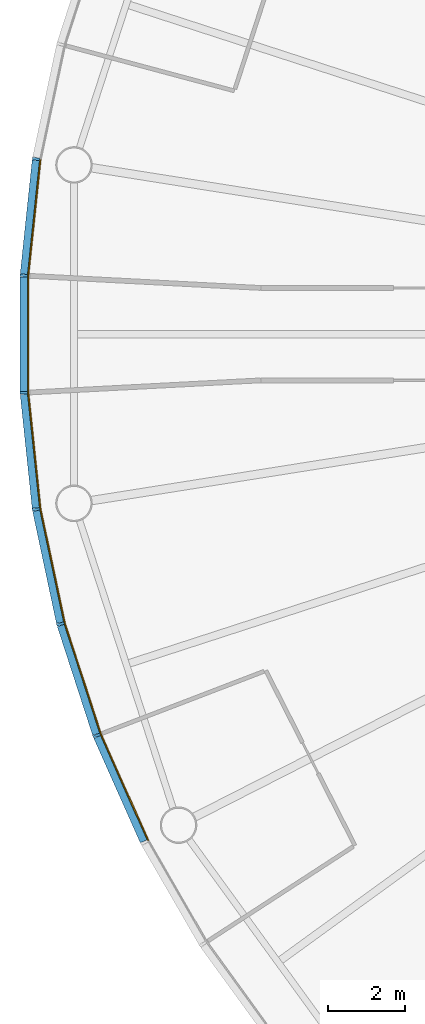
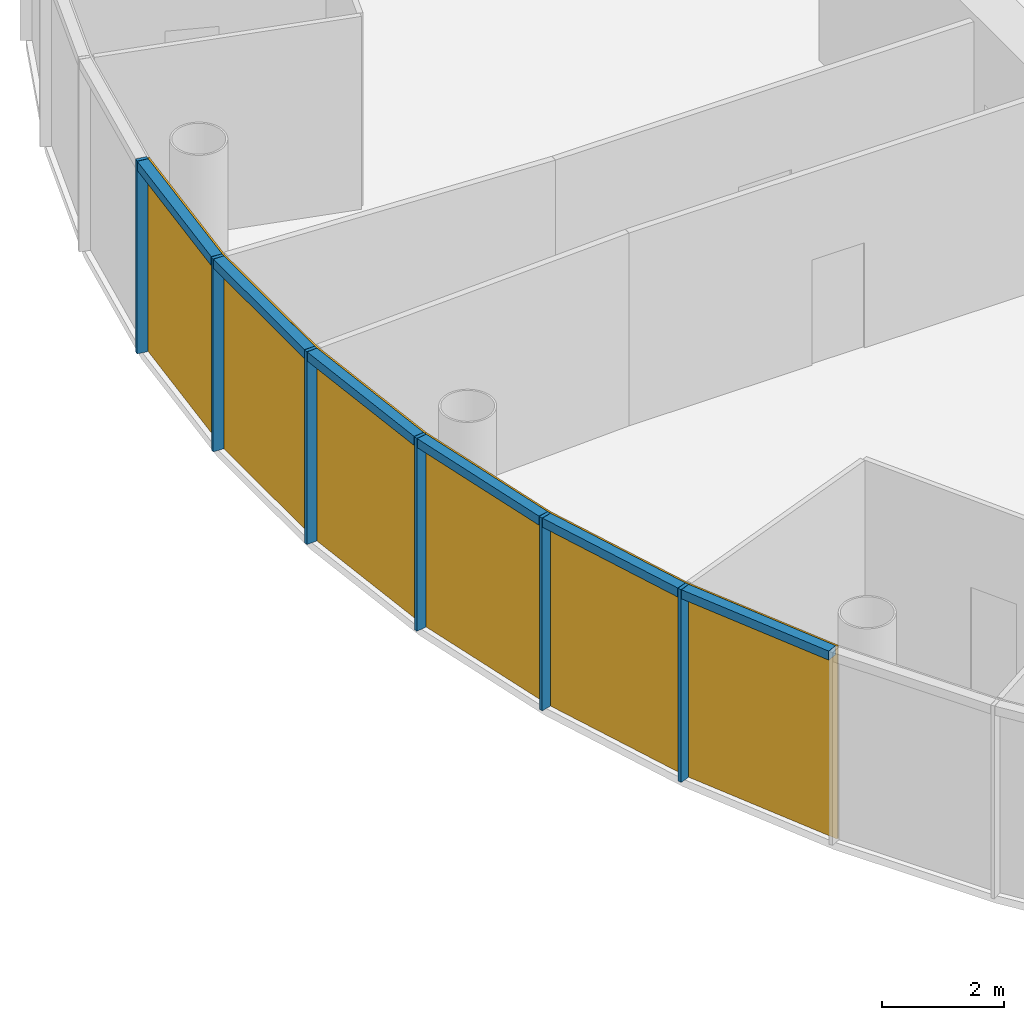
# One storey, part 8 of 13: 12 members, 2 curtain walls.
"""IFC4 building model written with IfcOpenShell, lengths in metres."""

from ifc_helpers import new_model, si_unit, direction, frame, origin, origin_2d, place, context, subcontext, project, spatial, polyline, rectangle, outline, extrude, material, layer, layer_set, material_profile, profile_set, type_object, element, aggregate, save


model = new_model("IFC4")

# Units and contexts
model_context = context("Model", 3, precision=1e-05, world=origin(), true_north=direction((0.0, 1.0)))
body_context = subcontext(model_context, "Body", "Model", "MODEL_VIEW")
ifc_project = project(units=[si_unit("LENGTHUNIT", "METRE"), si_unit("AREAUNIT", "SQUARE_METRE"), si_unit("VOLUMEUNIT", "CUBIC_METRE"), si_unit("PLANEANGLEUNIT", "RADIAN"), si_unit("MASSUNIT", "GRAM", prefix="KILO")], contexts=[model_context])

# Member
ifc_material_1 = material(Name="Anodised aluminium", Category="aluminium")
ifc_material_profile_1 = material_profile(ifc_material_1, rectangle(XDim=0.06494140625, YDim=0.195068359375, at=origin_2d()), Name="Mullion 65 x 195 mm anodised aluminium")
ifc_profile_set_1 = profile_set([ifc_material_profile_1], Name="Anodised aluminium")
member_type_1 = type_object("IfcMemberType", Name="Mullion 65 x 195 mm anodised aluminium", PredefinedType="MULLION", material=ifc_profile_set_1)
site_placement = place(None, origin())
building_placement = place(site_placement, origin())
storey_placement = place(building_placement, frame((0.0, 0.0, 314.0)))
member_1_placement = place(storey_placement, frame((61.2607421875, 84.5517578125, 0.0), z_axis=(0.0, 0.0, 1.0), x_axis=(-0.15643446504, -0.987688340595, 0.0)))
member_1 = element("IfcMember", 1, at=member_1_placement, type_object=member_type_1, Name="MULLION L72-27", PredefinedType="MULLION", context=body_context, shape_type="SweptSolid", body=[
    extrude(rectangle(XDim=0.06494140625, YDim=0.195068359375, at=origin_2d()), origin(), (0.0, 0.0, 1.0), 3.85009765625),
])

member_2_placement = place(storey_placement, frame((60.9423828125, 81.52294921875, 0.0), z_axis=(0.0, 0.0, 1.0), x_axis=(-0.052335956243, -0.998629534755, 0.0)))
member_2 = element("IfcMember", 2, at=member_2_placement, type_object=member_type_1, Name="MULLION L72-28", PredefinedType="MULLION", context=body_context, shape_type="SweptSolid", body=[
    extrude(rectangle(XDim=0.06494140625, YDim=0.195068359375, at=origin_2d()), origin(), (0.0, 0.0, 1.0), 3.85009765625),
])

member_3_placement = place(storey_placement, frame((60.9423828125, 78.47705078125, 0.0), z_axis=(0.0, 0.0, 1.0), x_axis=(0.052335956243, -0.998629534755, 0.0)))
member_3 = element("IfcMember", 3, at=member_3_placement, type_object=member_type_1, Name="MULLION L72-29", PredefinedType="MULLION", context=body_context, shape_type="SweptSolid", body=[
    extrude(rectangle(XDim=0.06494140625, YDim=0.195068359375, at=origin_2d()), origin(), (0.0, 0.0, 1.0), 3.85009765625),
])

member_4_placement = place(storey_placement, frame((61.2607421875, 75.4482421875, 0.0), z_axis=(0.0, 0.0, 1.0), x_axis=(0.15643446504, -0.987688340595, 0.0)))
member_4 = element("IfcMember", 4, at=member_4_placement, type_object=member_type_1, Name="MULLION L72-30", PredefinedType="MULLION", context=body_context, shape_type="SweptSolid", body=[
    extrude(rectangle(XDim=0.06494140625, YDim=0.195068359375, at=origin_2d()), origin(), (0.0, 0.0, 1.0), 3.85009765625),
])

member_5_placement = place(storey_placement, frame((61.89404296875, 72.468994140625, 0.0), z_axis=(0.0, 0.0, 1.0), x_axis=(0.258819045103, -0.965925826289, 0.0)))
member_5 = element("IfcMember", 5, at=member_5_placement, type_object=member_type_1, Name="MULLION L72-31", PredefinedType="MULLION", context=body_context, shape_type="SweptSolid", body=[
    extrude(rectangle(XDim=0.06494140625, YDim=0.195068359375, at=origin_2d()), origin(), (0.0, 0.0, 1.0), 3.85009765625),
])

member_6_placement = place(storey_placement, frame((62.835205078125, 69.572509765625, 0.0), z_axis=(0.0, 0.0, 1.0), x_axis=(0.358367949545, -0.933580426497, 0.0)))
member_6 = element("IfcMember", 6, at=member_6_placement, type_object=member_type_1, Name="MULLION L72-32", PredefinedType="MULLION", context=body_context, shape_type="SweptSolid", body=[
    extrude(rectangle(XDim=0.06494140625, YDim=0.195068359375, at=origin_2d()), origin(), (0.0, 0.0, 1.0), 3.85009765625),
])

ifc_material_2 = material(Name="Anodised aluminium", Category="aluminium")
ifc_material_profile_2 = material_profile(ifc_material_2, rectangle(XDim=0.195068359375, YDim=0.179931640625, at=origin_2d()), Name="Transom 180 x 195 mm anodised aluminium")
ifc_profile_set_2 = profile_set([ifc_material_profile_2], Name="Anodised aluminium")
member_type_2 = type_object("IfcMemberType", Name="Transom 180 x 195 mm anodised aluminium", PredefinedType="USERDEFINED", material=ifc_profile_set_2)
member_7_placement = place(storey_placement, frame((61.256591796875, 84.514404296875, 3.760009765625), z_axis=(-0.104466577987, -0.994528397827, 0.0), x_axis=(0.994528397827, -0.104466577987, 0.0)))
member_7 = element("IfcMember", 7, at=member_7_placement, type_object=member_type_2, Name="TRANSOM L72-27", ObjectType="TRANSOM", PredefinedType="USERDEFINED", context=body_context, shape_type="SweptSolid", body=[
    extrude(rectangle(XDim=0.195068359375, YDim=0.179931640625, at=origin_2d()), origin(), (0.0, 0.0, 1.0), 2.970458984375),
])

member_8_placement = place(storey_placement, frame((60.942138671875, 81.4853515625, 3.760009765625), z_axis=(0.0, -1.0, 0.0), x_axis=(1.0, 0.0, 0.0)))
member_8 = element("IfcMember", 8, at=member_8_placement, type_object=member_type_2, Name="TRANSOM L72-28", ObjectType="TRANSOM", PredefinedType="USERDEFINED", context=body_context, shape_type="SweptSolid", body=[
    extrude(rectangle(XDim=0.195068359375, YDim=0.179931640625, at=origin_2d()), origin(), (0.0, 0.0, 1.0), 2.970703125),
])

member_9_placement = place(storey_placement, frame((60.9462890625, 78.439697265625, 3.760009765625), z_axis=(0.104466577987, -0.994528397827, 0.0), x_axis=(0.994528397827, 0.104466577987, 0.0)))
member_9 = element("IfcMember", 9, at=member_9_placement, type_object=member_type_2, Name="TRANSOM L72-29", ObjectType="TRANSOM", PredefinedType="USERDEFINED", context=body_context, shape_type="SweptSolid", body=[
    extrude(rectangle(XDim=0.195068359375, YDim=0.179931640625, at=origin_2d()), origin(), (0.0, 0.0, 1.0), 2.970458984375),
])

member_10_placement = place(storey_placement, frame((61.268310546875, 75.411376953125, 3.760009765625), z_axis=(0.207940342877, -0.978141510112, 0.0), x_axis=(0.978141510112, 0.207940342877, 0.0)))
member_10 = element("IfcMember", 10, at=member_10_placement, type_object=member_type_2, Name="TRANSOM L72-30", ObjectType="TRANSOM", PredefinedType="USERDEFINED", context=body_context, shape_type="SweptSolid", body=[
    extrude(rectangle(XDim=0.195068359375, YDim=0.179931640625, at=origin_2d()), origin(), (0.0, 0.0, 1.0), 2.970458984375),
])

member_11_placement = place(storey_placement, frame((61.905517578125, 72.43310546875, 3.760009765625), z_axis=(0.309043326415, -0.951047960094, 0.0), x_axis=(0.951047960094, 0.309043326415, 0.0)))
member_11 = element("IfcMember", 11, at=member_11_placement, type_object=member_type_2, Name="TRANSOM L72-31", ObjectType="TRANSOM", PredefinedType="USERDEFINED", context=body_context, shape_type="SweptSolid", body=[
    extrude(rectangle(XDim=0.195068359375, YDim=0.179931640625, at=origin_2d()), origin(), (0.0, 0.0, 1.0), 2.970458984375),
])

member_12_placement = place(storey_placement, frame((62.850341796875, 69.5380859375, 3.760009765625), z_axis=(0.406725527369, -0.913550406593, 0.0), x_axis=(0.913550406593, 0.406725527369, 0.0)))
member_12 = element("IfcMember", 12, at=member_12_placement, type_object=member_type_2, Name="TRANSOM L72-32", ObjectType="TRANSOM", PredefinedType="USERDEFINED", context=body_context, shape_type="SweptSolid", body=[
    extrude(rectangle(XDim=0.195068359375, YDim=0.179931640625, at=origin_2d()), origin(), (0.0, 0.0, 1.0), 2.970703125),
])

# Site, building, storey
site = spatial("IfcSite", under=ifc_project, at=site_placement, CompositionType="ELEMENT")
building = spatial("IfcBuilding", under=site, at=building_placement, Name="Entoto Ring Tower", CompositionType="ELEMENT")
storey = spatial("IfcBuildingStorey", under=building, at=storey_placement, Name="L72", CompositionType="ELEMENT", Elevation=314.0)

# Curtain wall
ifc_material_3 = material(Name="Clear low-iron glass", Category="glass")
ifc_layer = layer(ifc_material_3, 0.033935546875)
ifc_layer_set = layer_set([ifc_layer], Name="Clear low-iron glass")
curtain_wall_type = type_object("IfcCurtainWallType", Name="Curtain wall system CW5 glazing 34 mm", PredefinedType="NOTDEFINED", material=ifc_layer_set)
curtain_wall_1_placement = place(storey_placement, origin())
curtain_wall_1 = element("IfcCurtainWall", 13, at=curtain_wall_1_placement, inside=storey, type_object=curtain_wall_type, Name="CW5 L72-10", PredefinedType="NOTDEFINED", context=body_context, shape_type="SweptSolid", body=[
    extrude(outline(polyline([(61.35693359375, 84.53662109375), (61.039794921875, 81.517822265625), (61.039794921875, 78.482177734375), (61.35693359375, 75.46337890625), (61.390625, 75.46875), (61.07373046875, 78.484130859375), (61.07373046875, 81.515869140625), (61.390625, 84.53125), (61.35693359375, 84.53662109375)])), origin(), (0.0, 0.0, 1.0), 3.85009765625),
])

aggregate(curtain_wall_1, [member_1, member_2, member_3, member_7, member_8, member_9])

curtain_wall_2_placement = place(storey_placement, origin())
curtain_wall_2 = element("IfcCurtainWall", 14, at=curtain_wall_2_placement, inside=storey, type_object=curtain_wall_type, Name="CW5 L72-11", PredefinedType="NOTDEFINED", context=body_context, shape_type="SweptSolid", body=[
    extrude(outline(polyline([(61.35693359375, 75.46337890625), (61.988037109375, 72.494140625), (62.92626953125, 69.607421875), (64.160888671875, 66.834228515625), (64.191162109375, 66.849853515625), (62.9580078125, 69.61962890625), (62.02099609375, 72.503173828125), (61.390625, 75.46875), (61.35693359375, 75.46337890625)])), origin(), (0.0, 0.0, 1.0), 3.85009765625),
])

aggregate(curtain_wall_2, [member_4, member_5, member_6, member_10, member_11, member_12])

save(model, "model.ifc")
